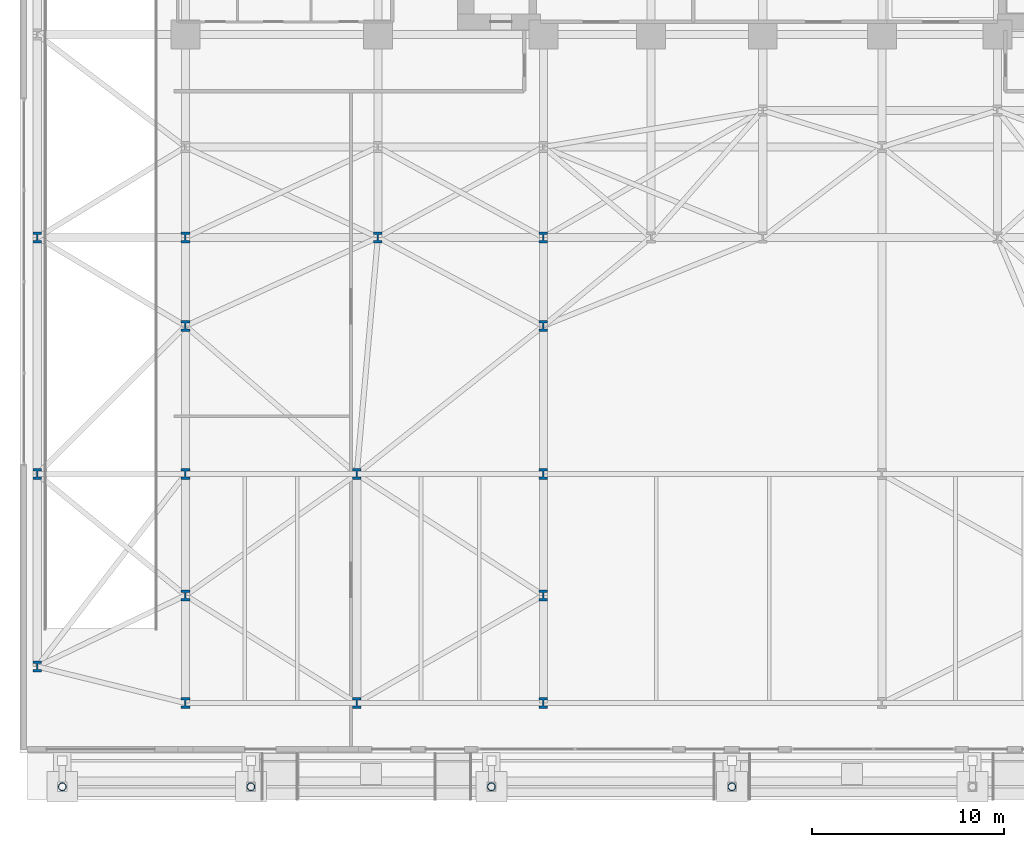
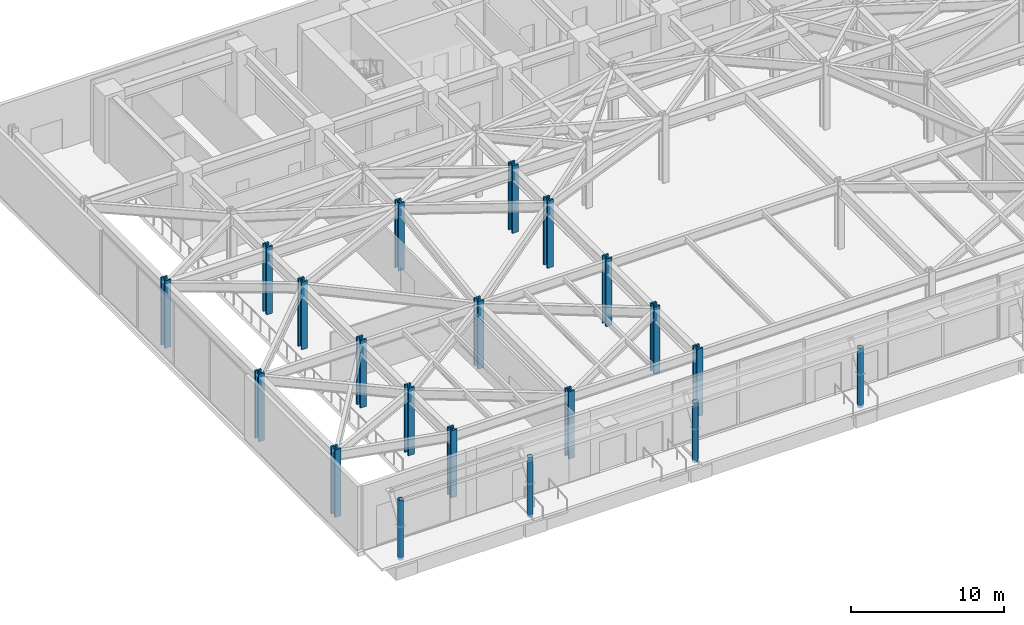
# One storey, part 2 of 31: 20 columns.
"""IFC4 building model written with IfcOpenShell, lengths in metres."""

from ifc_helpers import new_model, si_unit, direction, frame, origin, origin_2d, place, context, subcontext, project, spatial, hollow_circle, i_section, extrude, material, material_profile, profile_set, type_object, element, save


model = new_model("IFC4")

# Units and contexts
model_context = context("Model", 3, precision=1e-05, world=origin(), true_north=direction((0.0, 1.0)))
body_context = subcontext(model_context, "Body", "Model", "MODEL_VIEW")
ifc_project = project(units=[si_unit("LENGTHUNIT", "METRE"), si_unit("AREAUNIT", "SQUARE_METRE"), si_unit("VOLUMEUNIT", "CUBIC_METRE"), si_unit("PLANEANGLEUNIT", "RADIAN"), si_unit("MASSUNIT", "GRAM", prefix="KILO")], contexts=[model_context])

# Site, building, storey
site_placement = place(None, origin())
site = spatial("IfcSite", under=ifc_project, at=site_placement, CompositionType="ELEMENT")
building_placement = place(site_placement, origin())
building = spatial("IfcBuilding", under=site, at=building_placement, Name="Kravanh Interchange Tower", CompositionType="ELEMENT")
storey_placement = place(building_placement, origin())
storey = spatial("IfcBuildingStorey", under=building, at=storey_placement, Name="L00", CompositionType="ELEMENT", Elevation=0.0)

# Columns
ifc_material_1 = material(Name="Structural Steel S355", Category="steel")
ifc_material_profile_1 = material_profile(ifc_material_1, hollow_circle(Radius=0.202880859375, WallThickness=0.01611328125, at=origin_2d()), Name="CHS406X16")
ifc_profile_set_1 = profile_set([ifc_material_profile_1], Name="Structural Steel S355")
column_type_1 = type_object("IfcColumnType", Name="Column CHS406X16 Structural Steel S355", PredefinedType="COLUMN", material=ifc_profile_set_1)
for number, where, z_axis, x_axis, name in (
    (1, (2.199951171875, -1.75, -0.199951171875), (0.0, 0.0, 1.0), (1.0, 0.0, 0.0), "Transit Canopy Column 1"),
    (2, (12.0, -1.75, -0.199951171875), (0.0, 0.0, 1.0), (1.0, 0.0, 0.0), "Transit Canopy Column 2"),
    (3, (24.5, -1.75, -0.199951171875), (0.0, 0.0, 1.0), (1.0, 0.0, 0.0), "Transit Canopy Column 3"),
    (4, (37.0, -1.75, -0.199951171875), (0.0, 0.0, 1.0), (1.0, 0.0, 0.0), "Transit Canopy Column 4"),
):
    element("IfcColumn", number, at=place(storey_placement, frame(where, z_axis=z_axis, x_axis=x_axis)), inside=storey, type_object=column_type_1, Name=name, PredefinedType="COLUMN", context=body_context, shape_type="SweptSolid", body=[
        extrude(hollow_circle(Radius=0.202880859375, WallThickness=0.01611328125, at=origin_2d()), origin(), (0.0, 0.0, 1.0), 4.800048828125),
    ])
ifc_material_2 = material(Name="Structural Steel S450", Category="steel")
ifc_material_profile_2 = material_profile(ifc_material_2, i_section(OverallWidth=0.4541015625, OverallDepth=0.569091796875, WebThickness=0.077880859375, FlangeThickness=0.124755859375, FilletRadius=0.030029296875, at=origin_2d()), Name="W14X730")
ifc_profile_set_2 = profile_set([ifc_material_profile_2], Name="Structural Steel S450")
column_type_2 = type_object("IfcColumnType", Name="Column W14X730 Structural Steel S450", PredefinedType="COLUMN", material=ifc_profile_set_2)
for number, where, z_axis, x_axis, name in (
    (5, (8.60009765625, 2.60009765625, 0.0), (0.0, 0.0, 1.0), (1.0, 0.0, 0.0), "L00 Column CP01"),
    (6, (17.5, 2.60009765625, 0.0), (0.0, 0.0, 1.0), (1.0, 0.0, 0.0), "L00 Column CP02"),
    (7, (27.199951171875, 2.60009765625, 0.0), (0.0, 0.0, 1.0), (1.0, 0.0, 0.0), "L00 Column CP03"),
    (8, (8.60009765625, 8.199951171875, 0.0), (0.0, 0.0, 1.0), (1.0, 0.0, 0.0), "L00 Column CP06B"),
    (9, (27.199951171875, 8.199951171875, 0.0), (0.0, 0.0, 1.0), (1.0, 0.0, 0.0), "L00 Column CP06C"),
    (10, (8.60009765625, 14.5, 0.0), (0.0, 0.0, 1.0), (1.0, 0.0, 0.0), "L00 Column CP07"),
    (11, (17.5, 14.5, 0.0), (0.0, 0.0, 1.0), (1.0, 0.0, 0.0), "L00 Column CP08"),
    (12, (27.199951171875, 14.5, 0.0), (0.0, 0.0, 1.0), (1.0, 0.0, 0.0), "L00 Column CP09"),
    (13, (8.60009765625, 22.199951171875, 0.0), (0.0, 0.0, 1.0), (1.0, 0.0, 0.0), "L00 Column CP12B"),
    (14, (27.199951171875, 22.199951171875, 0.0), (0.0, 0.0, 1.0), (1.0, 0.0, 0.0), "L00 Column CP12C"),
    (15, (8.60009765625, 26.800048828125, 0.0), (0.0, 0.0, 1.0), (1.0, 0.0, 0.0), "L00 Column CP13"),
    (16, (18.60009765625, 26.800048828125, 0.0), (0.0, 0.0, 1.0), (1.0, 0.0, 0.0), "L00 Column CP14"),
    (17, (27.199951171875, 26.800048828125, 0.0), (0.0, 0.0, 1.0), (1.0, 0.0, 0.0), "L00 Column CP15"),
    (18, (0.89990234375, 4.5, 0.0), (0.0, 0.0, 1.0), (1.0, 0.0, 0.0), "L00 Column CP25"),
    (19, (0.89990234375, 14.5, 0.0), (0.0, 0.0, 1.0), (1.0, 0.0, 0.0), "L00 Column CP25B"),
    (20, (0.89990234375, 26.800048828125, 0.0), (0.0, 0.0, 1.0), (1.0, 0.0, 0.0), "L00 Column CP25C"),
):
    element("IfcColumn", number, at=place(storey_placement, frame(where, z_axis=z_axis, x_axis=x_axis)), inside=storey, type_object=column_type_2, Name=name, PredefinedType="COLUMN", context=body_context, shape_type="SweptSolid", body=[
        extrude(i_section(OverallWidth=0.4541015625, OverallDepth=0.569091796875, WebThickness=0.077880859375, FlangeThickness=0.124755859375, FilletRadius=0.030029296875, at=origin_2d()), origin(), (0.0, 0.0, 1.0), 5.39990234375),
    ])

save(model, "model.ifc")
